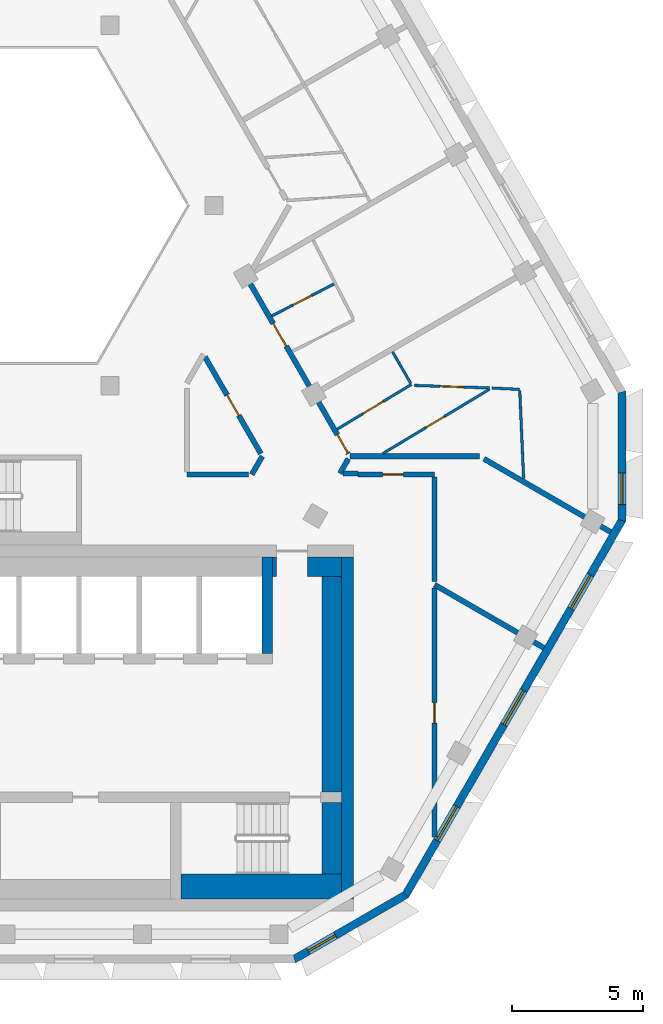
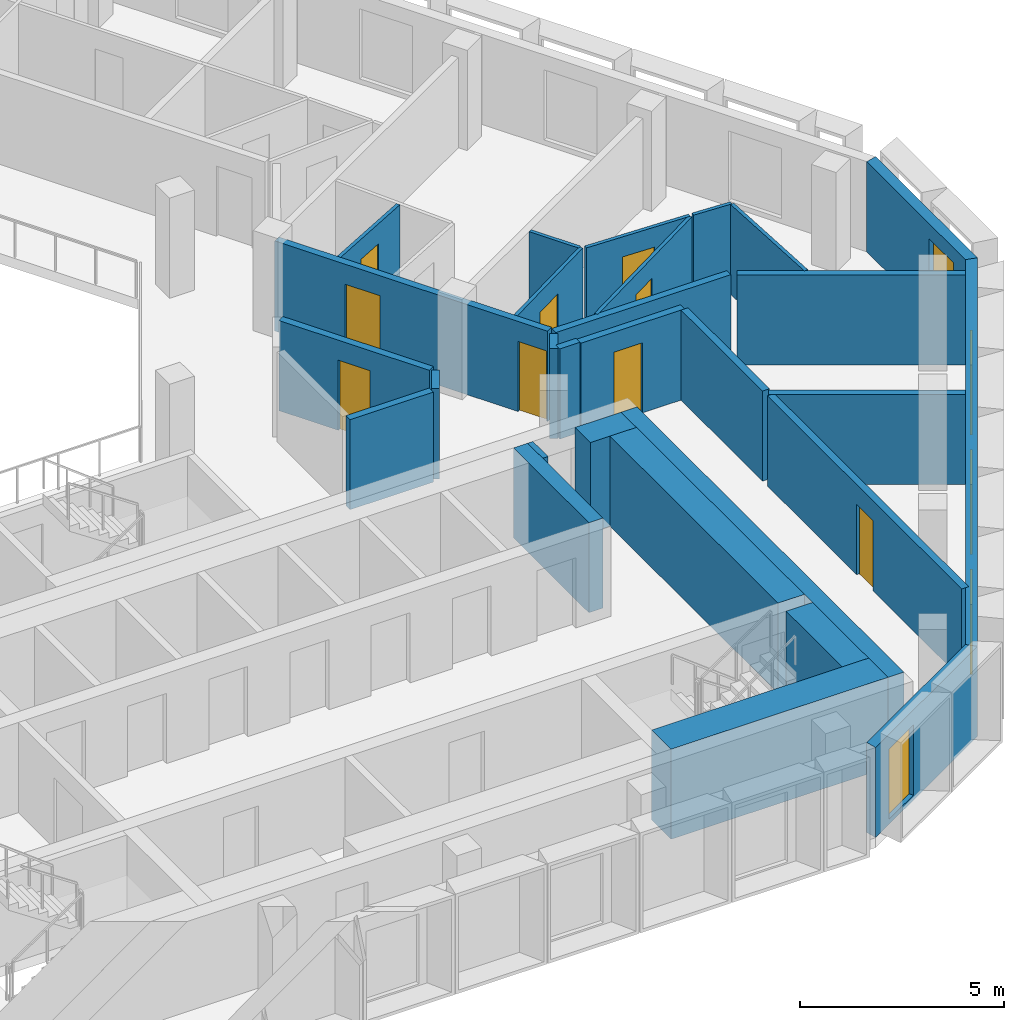
# One storey, part 5 of 14: 29 walls, 9 doors, 5 windows, 14 openings.
"""IFC4 building model written with IfcOpenShell, lengths in metres."""

from ifc_helpers import new_model, si_unit, direction, frame, frame_2d, origin, place, context, subcontext, project, spatial, polyline, rectangle, outline, extrude, material, layer, layer_set, type_object, element, fill, save


model = new_model("IFC4")

# Units and contexts
model_context = context("Model", 3, precision=1e-05, world=origin(), true_north=direction((0.0, 1.0)))
body_context = subcontext(model_context, "Body", "Model", "MODEL_VIEW")
ifc_project = project(units=[si_unit("LENGTHUNIT", "METRE"), si_unit("AREAUNIT", "SQUARE_METRE"), si_unit("VOLUMEUNIT", "CUBIC_METRE"), si_unit("PLANEANGLEUNIT", "RADIAN"), si_unit("MASSUNIT", "GRAM", prefix="KILO")], contexts=[model_context])

# Site, building, storey
site_placement = place(None, origin())
site = spatial("IfcSite", under=ifc_project, at=site_placement, CompositionType="ELEMENT")
building_placement = place(site_placement, origin())
building = spatial("IfcBuilding", under=site, at=building_placement, Name="Beryl Residences", CompositionType="ELEMENT")
storey_placement = place(building_placement, frame((0.0, 0.0, 235.800048828125)))
storey = spatial("IfcBuildingStorey", under=building, at=storey_placement, Name="L73", CompositionType="ELEMENT", Elevation=235.800048828125)

# Wall, opening, window
ifc_material_1 = material(Name="Composite metal panel with mineral wool insulation")
ifc_layer_1 = layer(ifc_material_1, 0.300048828125)
ifc_layer_set_1 = layer_set([ifc_layer_1], Name="ES1 pale metal composite panel wall 300 mm")
wall_type_1 = type_object("IfcWallType", Name="ES1 pale metal composite panel wall 300 mm", PredefinedType="SOLIDWALL", material=ifc_layer_set_1)
wall_1_placement = place(storey_placement, frame((11.010009765625, -20.8701171875, 0.0), z_axis=(0.0, 0.0, 1.0), x_axis=(0.866022959057, 0.500004234368, 0.0)))
wall_1 = element("IfcWall", 1, at=wall_1_placement, inside=storey, type_object=wall_type_1, Name="ES1 external wall L73 S-SE", PredefinedType="SOLIDWALL", context=body_context, shape_type="SweptSolid", body=[
    extrude(outline(polyline([(0.0, -0.14990234375), (5.0, -0.14990234375), (4.919677734375, 0.14990234375), (0.080322265625, 0.14990234375), (0.0, -0.14990234375)])), origin(), (0.0, 0.0, 1.0), 2.699951171875),
])
opening_1_placement = place(wall_1_placement, frame((0.64990234375, 0.0, 0.14990234375)))
opening_1 = element("IfcOpeningElement", 2, at=opening_1_placement, cuts=wall_1, Name="Opening W2", PredefinedType="OPENING", context=body_context, shape_type="SweptSolid", body=[
    extrude(rectangle(XDim=1.199951171875, YDim=2.10009765625, at=frame_2d((0.60009765625, 1.050048828125))), frame((0.0, 0.159912109375, 0.0), z_axis=(0.0, -1.0, 0.0), x_axis=(1.0, 0.0, 0.0)), (0.0, 0.0, 1.0), 0.320068359375),
])
ifc_material_2 = material(Name="Aluminium and clear glass", Category="aluminium")
window_type_1 = type_object("IfcWindowType", Name="W2 chamfer window 1200 x 2100 mm", PartitioningType="SINGLE_PANEL", PredefinedType="WINDOW", material=ifc_material_2)
window_1_placement = place(opening_1_placement, origin())
window_1 = element("IfcWindow", 3, at=window_1_placement, inside=storey, type_object=window_type_1, Name="W2 window L73 S-SE 1", OverallHeight=2.10009765625, OverallWidth=1.199951171875, PartitioningType="SINGLE_PANEL", PredefinedType="WINDOW", context=body_context, shape_type="SweptSolid", body=[
    extrude(rectangle(XDim=1.199951171875, YDim=2.10009765625, at=frame_2d((0.60009765625, 1.050048828125))), frame((0.0, 0.030029296875, 0.0), z_axis=(0.0, -1.0, 0.0), x_axis=(1.0, 0.0, 0.0)), (0.0, 0.0, 1.0), 0.06005859375),
])
fill(opening_1, window_1)

# Wall, openings, windows
wall_2_placement = place(storey_placement, frame((15.284912109375, -18.425048828125, 0.0), z_axis=(0.0, 0.0, 1.0), x_axis=(0.500012653391, 0.866018098222, 0.0)))
wall_2 = element("IfcWall", 4, at=wall_2_placement, inside=storey, type_object=wall_type_1, Name="ES1 external wall L73 SE", PredefinedType="SOLIDWALL", context=body_context, shape_type="SweptSolid", body=[
    extrude(outline(polyline([(0.0, -0.14990234375), (16.6279296875, -0.14990234375), (16.547607421875, 0.14990234375), (0.080322265625, 0.14990234375), (0.0, -0.14990234375)])), origin(), (0.0, 0.0, 1.0), 2.699951171875),
])
opening_2_placement = place(wall_2_placement, frame((2.444091796875, 0.0, 0.14990234375)))
opening_2 = element("IfcOpeningElement", 5, at=opening_2_placement, cuts=wall_2, Name="Opening W1", PredefinedType="OPENING", context=body_context, shape_type="SweptSolid", body=[
    extrude(rectangle(XDim=1.5, YDim=2.10009765625, at=frame_2d((0.75, 1.050048828125))), frame((0.0, 0.159912109375, 0.0), z_axis=(0.0, -1.0, 0.0), x_axis=(1.0, 0.0, 0.0)), (0.0, 0.0, 1.0), 0.320068359375),
])
opening_3_placement = place(wall_2_placement, frame((7.56396484375, 0.0, 0.14990234375)))
opening_3 = element("IfcOpeningElement", 6, at=opening_3_placement, cuts=wall_2, Name="Opening W1", PredefinedType="OPENING", context=body_context, shape_type="SweptSolid", body=[
    extrude(rectangle(XDim=1.5, YDim=2.10009765625, at=frame_2d((0.75, 1.050048828125))), frame((0.0, 0.159912109375, 0.0), z_axis=(0.0, -1.0, 0.0), x_axis=(1.0, 0.0, 0.0)), (0.0, 0.0, 1.0), 0.320068359375),
])
opening_4_placement = place(wall_2_placement, frame((12.681884765625, 0.0, 0.14990234375)))
opening_4 = element("IfcOpeningElement", 7, at=opening_4_placement, cuts=wall_2, Name="Opening W1", PredefinedType="OPENING", context=body_context, shape_type="SweptSolid", body=[
    extrude(rectangle(XDim=1.5, YDim=2.10009765625, at=frame_2d((0.75, 1.050048828125))), frame((0.0, 0.159912109375, 0.0), z_axis=(0.0, -1.0, 0.0), x_axis=(1.0, 0.0, 0.0)), (0.0, 0.0, 1.0), 0.320068359375),
])
ifc_material_3 = material(Name="Aluminium and clear glass", Category="aluminium")
window_type_2 = type_object("IfcWindowType", Name="W1 cell window 1500 x 2100 mm", PartitioningType="SINGLE_PANEL", PredefinedType="WINDOW", material=ifc_material_3)
window_2_placement = place(opening_2_placement, origin())
window_2 = element("IfcWindow", 8, at=window_2_placement, inside=storey, type_object=window_type_2, Name="W1 window L73 SE 2", OverallHeight=2.10009765625, OverallWidth=1.5, PartitioningType="SINGLE_PANEL", PredefinedType="WINDOW", context=body_context, shape_type="SweptSolid", body=[
    extrude(rectangle(XDim=1.5, YDim=2.10009765625, at=frame_2d((0.75, 1.050048828125))), frame((0.0, 0.030029296875, 0.0), z_axis=(0.0, -1.0, 0.0), x_axis=(1.0, 0.0, 0.0)), (0.0, 0.0, 1.0), 0.06005859375),
])
fill(opening_2, window_2)
window_3_placement = place(opening_3_placement, origin())
window_3 = element("IfcWindow", 9, at=window_3_placement, inside=storey, type_object=window_type_2, Name="W1 window L73 SE 4", OverallHeight=2.10009765625, OverallWidth=1.5, PartitioningType="SINGLE_PANEL", PredefinedType="WINDOW", context=body_context, shape_type="SweptSolid", body=[
    extrude(rectangle(XDim=1.5, YDim=2.10009765625, at=frame_2d((0.75, 1.050048828125))), frame((0.0, 0.030029296875, 0.0), z_axis=(0.0, -1.0, 0.0), x_axis=(1.0, 0.0, 0.0)), (0.0, 0.0, 1.0), 0.06005859375),
])
fill(opening_3, window_3)
window_4_placement = place(opening_4_placement, origin())
window_4 = element("IfcWindow", 10, at=window_4_placement, inside=storey, type_object=window_type_2, Name="W1 window L73 SE 6", OverallHeight=2.10009765625, OverallWidth=1.5, PartitioningType="SINGLE_PANEL", PredefinedType="WINDOW", context=body_context, shape_type="SweptSolid", body=[
    extrude(rectangle(XDim=1.5, YDim=2.10009765625, at=frame_2d((0.75, 1.050048828125))), frame((0.0, 0.030029296875, 0.0), z_axis=(0.0, -1.0, 0.0), x_axis=(1.0, 0.0, 0.0)), (0.0, 0.0, 1.0), 0.06005859375),
])
fill(opening_4, window_4)

# Wall, opening, window
wall_3_placement = place(storey_placement, frame((23.5791015625, -4.10009765625, 0.0), z_axis=(0.0, 0.0, 1.0), x_axis=(0.0, 1.0, 0.0)))
wall_3 = element("IfcWall", 11, at=wall_3_placement, inside=storey, type_object=wall_type_1, Name="ES1 external wall L73 SE-NE", PredefinedType="SOLIDWALL", context=body_context, shape_type="SweptSolid", body=[
    extrude(outline(polyline([(0.0, -0.14990234375), (5.0, -0.14990234375), (4.919677734375, 0.14990234375), (0.080322265625, 0.14990234375), (0.0, -0.14990234375)])), origin(), (0.0, 0.0, 1.0), 2.699951171875),
])
opening_5_placement = place(wall_3_placement, frame((0.64990234375, 0.0, 0.14990234375)))
opening_5 = element("IfcOpeningElement", 12, at=opening_5_placement, cuts=wall_3, Name="Opening W2", PredefinedType="OPENING", context=body_context, shape_type="SweptSolid", body=[
    extrude(rectangle(XDim=1.199951171875, YDim=2.10009765625, at=frame_2d((0.60009765625, 1.050048828125))), frame((0.0, 0.159912109375, 0.0), z_axis=(0.0, -1.0, 0.0), x_axis=(1.0, 0.0, 0.0)), (0.0, 0.0, 1.0), 0.320068359375),
])
window_5_placement = place(opening_5_placement, origin())
window_5 = element("IfcWindow", 13, at=window_5_placement, inside=storey, type_object=window_type_1, Name="W2 window L73 SE-NE 1", OverallHeight=2.10009765625, OverallWidth=1.199951171875, PartitioningType="SINGLE_PANEL", PredefinedType="WINDOW", context=body_context, shape_type="SweptSolid", body=[
    extrude(rectangle(XDim=1.199951171875, YDim=2.10009765625, at=frame_2d((0.60009765625, 1.050048828125))), frame((0.0, 0.030029296875, 0.0), z_axis=(0.0, -1.0, 0.0), x_axis=(1.0, 0.0, 0.0)), (0.0, 0.0, 1.0), 0.06005859375),
])
fill(opening_5, window_5)

# Walls
ifc_material_4 = material(Name="Gypsum board partition on steel studs", Category="steel")
ifc_layer_2 = layer(ifc_material_4, 0.10009765625)
ifc_layer_set_2 = layer_set([ifc_layer_2], Name="PT1 partition 100 mm gypsum board on steel studs")
wall_type_2 = type_object("IfcWallType", Name="PT1 partition 100 mm gypsum board on steel studs", PredefinedType="PARTITIONING", material=ifc_layer_set_2)
wall_4_placement = place(storey_placement, frame((14.800048828125, 2.39697265625, 0.0), z_axis=(0.0, 0.0, 1.0), x_axis=(0.49989805765, -0.866084252228, 0.0)))
element("IfcWall", 14, at=wall_4_placement, inside=storey, type_object=wall_type_2, Name="Wall PT1 L73 002", PredefinedType="PARTITIONING", context=body_context, shape_type="SweptSolid", body=[
    extrude(rectangle(XDim=1.404052734375, YDim=0.10009765625, at=frame_2d((0.7021484375, 0.0))), origin(), (0.0, 0.0, 1.0), 2.699951171875),
])
wall_5_placement = place(storey_placement, frame((19.669921875, 0.908935546875, 0.0), z_axis=(0.0, 0.0, 1.0), x_axis=(0.043933486644, -0.99903445824, 0.0)))
element("IfcWall", 15, at=wall_5_placement, inside=storey, type_object=wall_type_2, Name="Wall PT1 L73 009", PredefinedType="PARTITIONING", context=body_context, shape_type="SweptSolid", body=[
    extrude(rectangle(XDim=3.373046875, YDim=0.10009765625, at=frame_2d((1.6865234375, 0.0))), origin(), (0.0, 0.0, 1.0), 2.699951171875),
])

# Wall, opening, door
wall_6_placement = place(storey_placement, frame((15.631103515625, 1.112060546875, 0.0), z_axis=(0.0, 0.0, 1.0), x_axis=(0.999423034213, -0.033964668168, 0.0)))
wall_6 = element("IfcWall", 16, at=wall_6_placement, inside=storey, type_object=wall_type_2, Name="Wall PT1 L73 014", PredefinedType="PARTITIONING", context=body_context, shape_type="SweptSolid", body=[
    extrude(rectangle(XDim=2.8896484375, YDim=0.10009765625, at=frame_2d((1.44482421875, 0.0))), origin(), (0.0, 0.0, 1.0), 2.699951171875),
])
opening_6_placement = place(wall_6_placement, frame((0.9951171875, 0.0, 0.0)))
opening_6 = element("IfcOpeningElement", 17, at=opening_6_placement, cuts=wall_6, Name="Opening D2226", PredefinedType="OPENING", context=body_context, shape_type="SweptSolid", body=[
    extrude(rectangle(XDim=0.89990234375, YDim=2.10009765625, at=frame_2d((0.449951171875, 1.050048828125))), frame((0.0, 0.06005859375, 0.0), z_axis=(0.0, -1.0, 0.0), x_axis=(1.0, 0.0, 0.0)), (0.0, 0.0, 1.0), 0.1201171875),
])
ifc_material_5 = material(Name="Timber door leaf", Category="wood")
door_type_1 = type_object("IfcDoorType", Name="D2 room door 900 x 2100 mm", OperationType="SINGLE_SWING_LEFT", PredefinedType="DOOR", material=ifc_material_5)
door_1_placement = place(opening_6_placement, origin())
door_1 = element("IfcDoor", 18, at=door_1_placement, inside=storey, type_object=door_type_1, Name="Door D2226 L73 001", OperationType="SINGLE_SWING_RIGHT", OverallHeight=2.10009765625, OverallWidth=0.89990234375, PredefinedType="DOOR", context=body_context, shape_type="SweptSolid", body=[
    extrude(rectangle(XDim=0.89990234375, YDim=2.10009765625, at=frame_2d((0.449951171875, 1.050048828125))), frame((0.0, 0.02490234375, 0.0), z_axis=(0.0, -1.0, 0.0), x_axis=(1.0, 0.0, 0.0)), (0.0, 0.0, 1.0), 0.050048828125),
])
fill(opening_6, door_1)

wall_7_placement = place(storey_placement, frame((10.177978515625, 3.77197265625, 0.0), z_axis=(0.0, 0.0, 1.0), x_axis=(0.889732071959, 0.456483121405, 0.0)))
wall_7 = element("IfcWall", 19, at=wall_7_placement, inside=storey, type_object=wall_type_2, Name="Wall PT1 L73 032", PredefinedType="PARTITIONING", context=body_context, shape_type="SweptSolid", body=[
    extrude(rectangle(XDim=2.679443359375, YDim=0.10009765625, at=frame_2d((1.33984375, 0.0))), origin(), (0.0, 0.0, 1.0), 2.699951171875),
])
opening_7_placement = place(wall_7_placement, frame((0.9150390625, 0.0, 0.0)))
opening_7 = element("IfcOpeningElement", 20, at=opening_7_placement, cuts=wall_7, Name="Opening D2229", PredefinedType="OPENING", context=body_context, shape_type="SweptSolid", body=[
    extrude(rectangle(XDim=0.800048828125, YDim=2.10009765625, at=frame_2d((0.39990234375, 1.050048828125))), frame((0.0, 0.06005859375, 0.0), z_axis=(0.0, -1.0, 0.0), x_axis=(1.0, 0.0, 0.0)), (0.0, 0.0, 1.0), 0.1201171875),
])
ifc_material_6 = material(Name="Timber door leaf", Category="wood")
door_type_2 = type_object("IfcDoorType", Name="D3 bathroom door 800 x 2100 mm", OperationType="SINGLE_SWING_LEFT", PredefinedType="DOOR", material=ifc_material_6)
door_2_placement = place(opening_7_placement, origin())
door_2 = element("IfcDoor", 21, at=door_2_placement, inside=storey, type_object=door_type_2, Name="Door D2229 L73 001", OperationType="SINGLE_SWING_LEFT", OverallHeight=2.10009765625, OverallWidth=0.800048828125, PredefinedType="DOOR", context=body_context, shape_type="SweptSolid", body=[
    extrude(rectangle(XDim=0.800048828125, YDim=2.10009765625, at=frame_2d((0.39990234375, 1.050048828125))), frame((0.0, 0.02490234375, 0.0), z_axis=(0.0, -1.0, 0.0), x_axis=(1.0, 0.0, 0.0)), (0.0, 0.0, 1.0), 0.050048828125),
])
fill(opening_7, door_2)

wall_8_placement = place(storey_placement, frame((12.680908203125, -0.56396484375, 0.0), z_axis=(0.0, 0.0, 1.0), x_axis=(0.856575482301, 0.516021746752, 0.0)))
wall_8 = element("IfcWall", 22, at=wall_8_placement, inside=storey, type_object=wall_type_2, Name="Wall PT1 L73 035", PredefinedType="PARTITIONING", context=body_context, shape_type="SweptSolid", body=[
    extrude(rectangle(XDim=3.315673828125, YDim=0.10009765625, at=frame_2d((1.65771484375, 0.0))), origin(), (0.0, 0.0, 1.0), 2.699951171875),
])
opening_8_placement = place(wall_8_placement, frame((1.157958984375, 0.0, 0.0)))
opening_8 = element("IfcOpeningElement", 23, at=opening_8_placement, cuts=wall_8, Name="Opening D2225", PredefinedType="OPENING", context=body_context, shape_type="SweptSolid", body=[
    extrude(rectangle(XDim=0.89990234375, YDim=2.10009765625, at=frame_2d((0.449951171875, 1.050048828125))), frame((0.0, 0.06005859375, 0.0), z_axis=(0.0, -1.0, 0.0), x_axis=(1.0, 0.0, 0.0)), (0.0, 0.0, 1.0), 0.1201171875),
])
door_3_placement = place(opening_8_placement, origin())
door_3 = element("IfcDoor", 24, at=door_3_placement, inside=storey, type_object=door_type_1, Name="Door D2225 L73 001", OperationType="SINGLE_SWING_LEFT", OverallHeight=2.10009765625, OverallWidth=0.89990234375, PredefinedType="DOOR", context=body_context, shape_type="SweptSolid", body=[
    extrude(rectangle(XDim=0.89990234375, YDim=2.10009765625, at=frame_2d((0.449951171875, 1.050048828125))), frame((0.0, 0.02490234375, 0.0), z_axis=(0.0, -1.0, 0.0), x_axis=(1.0, 0.0, 0.0)), (0.0, 0.0, 1.0), 0.050048828125),
])
fill(opening_8, door_3)

wall_9_placement = place(storey_placement, frame((14.423095703125, -1.4990234375, 0.0), z_axis=(0.0, 0.0, 1.0), x_axis=(0.856512638305, 0.516126050905, 0.0)))
wall_9 = element("IfcWall", 25, at=wall_9_placement, inside=storey, type_object=wall_type_2, Name="Wall PT1 L73 036", PredefinedType="PARTITIONING", context=body_context, shape_type="SweptSolid", body=[
    extrude(rectangle(XDim=4.776123046875, YDim=0.10009765625, at=frame_2d((2.38818359375, 0.0))), origin(), (0.0, 0.0, 1.0), 2.699951171875),
])
opening_9_placement = place(wall_9_placement, frame((1.93603515625, 0.0, 0.0)))
opening_9 = element("IfcOpeningElement", 26, at=opening_9_placement, cuts=wall_9, Name="Opening D2224", PredefinedType="OPENING", context=body_context, shape_type="SweptSolid", body=[
    extrude(rectangle(XDim=0.800048828125, YDim=2.10009765625, at=frame_2d((0.39990234375, 1.050048828125))), frame((0.0, 0.06005859375, 0.0), z_axis=(0.0, -1.0, 0.0), x_axis=(1.0, 0.0, 0.0)), (0.0, 0.0, 1.0), 0.1201171875),
])
door_4_placement = place(opening_9_placement, origin())
door_4 = element("IfcDoor", 27, at=door_4_placement, inside=storey, type_object=door_type_2, Name="Door D2224 L73 001", OperationType="SINGLE_SWING_RIGHT", OverallHeight=2.10009765625, OverallWidth=0.800048828125, PredefinedType="DOOR", context=body_context, shape_type="SweptSolid", body=[
    extrude(rectangle(XDim=0.800048828125, YDim=2.10009765625, at=frame_2d((0.39990234375, 1.050048828125))), frame((0.0, 0.02490234375, 0.0), z_axis=(0.0, -1.0, 0.0), x_axis=(1.0, 0.0, 0.0)), (0.0, 0.0, 1.0), 0.050048828125),
])
fill(opening_9, door_4)

# Walls
wall_10_placement = place(storey_placement, frame((18.611083984375, 1.010986328125, 0.0), z_axis=(0.0, 0.0, 1.0), x_axis=(0.998789491469, -0.049188939117, 0.0)))
element("IfcWall", 28, at=wall_10_placement, inside=storey, type_object=wall_type_2, Name="Wall PT1 L73 040", PredefinedType="PARTITIONING", context=body_context, shape_type="SweptSolid", body=[
    extrude(rectangle(XDim=1.05712890625, YDim=0.10009765625, at=frame_2d((0.528564453125, 0.0))), origin(), (0.0, 0.0, 1.0), 2.699951171875),
])
ifc_material_7 = material(Name="Concrete masonry", Category="masonry")
ifc_layer_3 = layer(ifc_material_7, 0.14990234375)
ifc_layer_set_3 = layer_set([ifc_layer_3], Name="PT13-150 lobby wall 150 mm")
wall_type_3 = type_object("IfcWallType", Name="PT13-150 lobby wall 150 mm", PredefinedType="PARTITIONING", material=ifc_layer_set_3)
wall_11_placement = place(storey_placement, frame((10.27490234375, -6.199951171875, 0.0), z_axis=(0.0, 0.0, 1.0), x_axis=(0.0, 1.0, 0.0)))
element("IfcWall", 29, at=wall_11_placement, inside=storey, type_object=wall_type_3, Name="Lobby wall 24", PredefinedType="PARTITIONING", context=body_context, shape_type="SweptSolid", body=[
    extrude(rectangle(XDim=0.75, YDim=0.14990234375, at=frame_2d((0.375, 0.0))), origin(), (0.0, 0.0, 1.0), 2.699951171875),
])
ifc_material_8 = material(Name="Concrete masonry", Category="masonry")
ifc_layer_4 = layer(ifc_material_8, 0.75)
ifc_layer_set_4 = layer_set([ifc_layer_4], Name="PT13-750 lobby wall 750 mm")
wall_type_4 = type_object("IfcWallType", Name="PT13-750 lobby wall 750 mm", PredefinedType="PARTITIONING", material=ifc_layer_set_4)
wall_12_placement = place(storey_placement, frame((11.550048828125, -5.824951171875, 0.0), z_axis=(0.0, 0.0, 1.0), x_axis=(1.0, 0.0, 0.0)))
element("IfcWall", 30, at=wall_12_placement, inside=storey, type_object=wall_type_4, Name="Lobby wall 25", PredefinedType="PARTITIONING", context=body_context, shape_type="SweptSolid", body=[
    extrude(rectangle(XDim=1.300048828125, YDim=0.75, at=frame_2d((0.64990234375, 0.0))), origin(), (0.0, 0.0, 1.0), 2.699951171875),
])
wall_13_placement = place(storey_placement, frame((12.47509765625, -14.449951171875, 0.0), z_axis=(0.0, 0.0, 1.0), x_axis=(0.0, 1.0, 0.0)))
element("IfcWall", 31, at=wall_13_placement, inside=storey, type_object=wall_type_4, Name="Lobby wall 27", PredefinedType="PARTITIONING", context=body_context, shape_type="SweptSolid", body=[
    extrude(rectangle(XDim=8.25, YDim=0.75, at=frame_2d((4.125, 0.0))), origin(), (0.0, 0.0, 1.0), 2.699951171875),
])
ifc_material_9 = material(Name="Acoustic double stud gypsum board wall")
ifc_layer_5 = layer(ifc_material_9, 0.199951171875)
ifc_layer_set_5 = layer_set([ifc_layer_5], Name="PT3 party wall 200 mm acoustic double stud")
wall_type_5 = type_object("IfcWallType", Name="PT3 party wall 200 mm acoustic double stud", PredefinedType="PARTITIONING", material=ifc_layer_set_5)
wall_14_placement = place(storey_placement, frame((18.299072265625, -1.698974609375, 0.0), z_axis=(0.0, 0.0, 1.0), x_axis=(0.865962789554, -0.50010843535, 0.0)))
element("IfcWall", 32, at=wall_14_placement, inside=storey, type_object=wall_type_5, Name="Wall PT3 L73 002", PredefinedType="PARTITIONING", context=body_context, shape_type="SweptSolid", body=[
    extrude(rectangle(XDim=5.602783203125, YDim=0.199951171875, at=frame_2d((2.80126953125, 0.0))), origin(), (0.0, 0.0, 1.0), 2.699951171875),
])
wall_15_placement = place(storey_placement, frame((16.407958984375, -6.51904296875, 0.0), z_axis=(0.0, 0.0, 1.0), x_axis=(0.866032396701, -0.499987887718, 0.0)))
element("IfcWall", 33, at=wall_15_placement, inside=storey, type_object=wall_type_5, Name="Wall PT3 L73 003", PredefinedType="PARTITIONING", context=body_context, shape_type="SweptSolid", body=[
    extrude(rectangle(XDim=4.830078125, YDim=0.199951171875, at=frame_2d((2.4150390625, 0.0))), origin(), (0.0, 0.0, 1.0), 2.699951171875),
])
wall_16_placement = place(storey_placement, frame((13.1630859375, -1.59912109375, 0.0), z_axis=(0.0, 0.0, 1.0), x_axis=(1.0, 0.0, 0.0)))
element("IfcWall", 34, at=wall_16_placement, inside=storey, type_object=wall_type_5, Name="Wall PT3 L73 006", PredefinedType="PARTITIONING", context=body_context, shape_type="SweptSolid", body=[
    extrude(rectangle(XDim=4.9619140625, YDim=0.199951171875, at=frame_2d((2.48095703125, 0.0))), origin(), (0.0, 0.0, 1.0), 2.699951171875),
])

# Wall, opening, door
ifc_material_10 = material(Name="Double stud gypsum board wall")
ifc_layer_6 = layer(ifc_material_10, 0.199951171875)
ifc_layer_set_6 = layer_set([ifc_layer_6], Name="PT4 corridor wall 200 mm double stud")
wall_type_6 = type_object("IfcWallType", Name="PT4 corridor wall 200 mm double stud", PredefinedType="PARTITIONING", material=ifc_layer_set_6)
wall_17_placement = place(storey_placement, frame((7.6220703125, 2.198974609375, 0.0), z_axis=(0.0, 0.0, 1.0), x_axis=(0.499994660107, -0.866028486751, 0.0)))
wall_17 = element("IfcWall", 35, at=wall_17_placement, inside=storey, type_object=wall_type_6, Name="Wall PT4 L73 004", PredefinedType="PARTITIONING", context=body_context, shape_type="SweptSolid", body=[
    extrude(rectangle(XDim=4.27001953125, YDim=0.199951171875, at=frame_2d((2.135009765625, 0.0))), origin(), (0.0, 0.0, 1.0), 2.699951171875),
])
opening_10_placement = place(wall_17_placement, frame((1.68505859375, 0.0, 0.0)))
opening_10 = element("IfcOpeningElement", 36, at=opening_10_placement, cuts=wall_17, Name="Opening D2235", PredefinedType="OPENING", context=body_context, shape_type="SweptSolid", body=[
    extrude(rectangle(XDim=0.89990234375, YDim=2.10009765625, at=frame_2d((0.449951171875, 1.050048828125))), frame((0.0, 0.10986328125, 0.0), z_axis=(0.0, -1.0, 0.0), x_axis=(1.0, 0.0, 0.0)), (0.0, 0.0, 1.0), 0.219970703125),
])
door_5_placement = place(opening_10_placement, origin())
door_5 = element("IfcDoor", 37, at=door_5_placement, inside=storey, type_object=door_type_1, Name="Door D2235 L73 001", OperationType="SINGLE_SWING_LEFT", OverallHeight=2.10009765625, OverallWidth=0.89990234375, PredefinedType="DOOR", context=body_context, shape_type="SweptSolid", body=[
    extrude(rectangle(XDim=0.89990234375, YDim=2.10009765625, at=frame_2d((0.449951171875, 1.050048828125))), frame((0.0, 0.02490234375, 0.0), z_axis=(0.0, -1.0, 0.0), x_axis=(1.0, 0.0, 0.0)), (0.0, 0.0, 1.0), 0.050048828125),
])
fill(opening_10, door_5)

# Wall, openings, doors
wall_18_placement = place(storey_placement, frame((9.238037109375, 5.199951171875, 0.0), z_axis=(0.0, 0.0, 1.0), x_axis=(0.500025705601, -0.86601056214, 0.0)))
wall_18 = element("IfcWall", 38, at=wall_18_placement, inside=storey, type_object=wall_type_6, Name="Wall PT4 L73 005", PredefinedType="PARTITIONING", context=body_context, shape_type="SweptSolid", body=[
    extrude(rectangle(XDim=7.7353515625, YDim=0.199951171875, at=frame_2d((3.86767578125, 0.0))), origin(), (0.0, 0.0, 1.0), 2.699951171875),
])
opening_11_placement = place(wall_18_placement, frame((6.89794921875, 0.0, 0.0)))
opening_11 = element("IfcOpeningElement", 39, at=opening_11_placement, cuts=wall_18, Name="Opening D2223", PredefinedType="OPENING", context=body_context, shape_type="SweptSolid", body=[
    extrude(rectangle(XDim=0.800048828125, YDim=2.10009765625, at=frame_2d((0.39990234375, 1.050048828125))), frame((0.0, 0.10986328125, 0.0), z_axis=(0.0, -1.0, 0.0), x_axis=(1.0, 0.0, 0.0)), (0.0, 0.0, 1.0), 0.219970703125),
])
opening_12_placement = place(wall_18_placement, frame((1.988037109375, 0.0, 0.0)))
opening_12 = element("IfcOpeningElement", 40, at=opening_12_placement, cuts=wall_18, Name="Opening D2227", PredefinedType="OPENING", context=body_context, shape_type="SweptSolid", body=[
    extrude(rectangle(XDim=1.0, YDim=2.10009765625, at=frame_2d((0.5, 1.050048828125))), frame((0.0, 0.10986328125, 0.0), z_axis=(0.0, -1.0, 0.0), x_axis=(1.0, 0.0, 0.0)), (0.0, 0.0, 1.0), 0.219970703125),
])
ifc_material_11 = material(Name="Timber door leaf", Category="wood")
door_type_3 = type_object("IfcDoorType", Name="D1 flat entrance door 1000 x 2100 mm", OperationType="SINGLE_SWING_LEFT", PredefinedType="DOOR", material=ifc_material_11)
door_6_placement = place(opening_12_placement, origin())
door_6 = element("IfcDoor", 41, at=door_6_placement, inside=storey, type_object=door_type_3, Name="Door D2227 L73 001", OperationType="SINGLE_SWING_LEFT", OverallHeight=2.10009765625, OverallWidth=1.0, PredefinedType="DOOR", context=body_context, shape_type="SweptSolid", body=[
    extrude(rectangle(XDim=1.0, YDim=2.10009765625, at=frame_2d((0.5, 1.050048828125))), frame((0.0, 0.02490234375, 0.0), z_axis=(0.0, -1.0, 0.0), x_axis=(1.0, 0.0, 0.0)), (0.0, 0.0, 1.0), 0.050048828125),
])
fill(opening_12, door_6)
ifc_material_12 = material(Name="Timber door leaf", Category="wood")
door_type_4 = type_object("IfcDoorType", Name="D12 flat entrance door 800 x 2100 mm", OperationType="SINGLE_SWING_LEFT", PredefinedType="DOOR", material=ifc_material_12)
door_7_placement = place(opening_11_placement, origin())
door_7 = element("IfcDoor", 42, at=door_7_placement, inside=storey, type_object=door_type_4, Name="Door D2223 L73 001", OperationType="SINGLE_SWING_LEFT", OverallHeight=2.10009765625, OverallWidth=0.800048828125, PredefinedType="DOOR", context=body_context, shape_type="SweptSolid", body=[
    extrude(rectangle(XDim=0.800048828125, YDim=2.10009765625, at=frame_2d((0.39990234375, 1.050048828125))), frame((0.0, 0.02490234375, 0.0), z_axis=(0.0, -1.0, 0.0), x_axis=(1.0, 0.0, 0.0)), (0.0, 0.0, 1.0), 0.050048828125),
])
fill(opening_11, door_7)

# Walls
wall_19_placement = place(storey_placement, frame((16.407958984375, -2.39990234375, 0.0), z_axis=(0.0, 0.0, 1.0), x_axis=(0.0, -1.0, 0.0)))
element("IfcWall", 43, at=wall_19_placement, inside=storey, type_object=wall_type_6, Name="Wall PT4 L73 009", PredefinedType="PARTITIONING", context=body_context, shape_type="SweptSolid", body=[
    extrude(rectangle(XDim=4.004150390625, YDim=0.199951171875, at=frame_2d((2.001953125, 0.0))), origin(), (0.0, 0.0, 1.0), 2.699951171875),
])
wall_20_placement = place(storey_placement, frame((12.902099609375, -2.256103515625, 0.0), z_axis=(0.0, 0.0, 1.0), x_axis=(1.0, 0.0, 0.0)))
element("IfcWall", 44, at=wall_20_placement, inside=storey, type_object=wall_type_6, Name="Wall PT4 L73 012", PredefinedType="PARTITIONING", context=body_context, shape_type="SweptSolid", body=[
    extrude(rectangle(XDim=0.57080078125, YDim=0.199951171875, at=frame_2d((0.285400390625, 0.0))), origin(), (0.0, 0.0, 1.0), 2.699951171875),
])
wall_21_placement = place(storey_placement, frame((6.928955078125, -2.300048828125, 0.0), z_axis=(0.0, 0.0, 1.0), x_axis=(1.0, 0.0, 0.0)))
element("IfcWall", 45, at=wall_21_placement, inside=storey, type_object=wall_type_6, Name="Wall PT4 L73 015", PredefinedType="PARTITIONING", context=body_context, shape_type="SweptSolid", body=[
    extrude(rectangle(XDim=2.364990234375, YDim=0.199951171875, at=frame_2d((1.1826171875, 0.0))), origin(), (0.0, 0.0, 1.0), 2.699951171875),
])

# Wall, opening, door
wall_22_placement = place(storey_placement, frame((13.47412109375, -2.300048828125, 0.0), z_axis=(0.0, 0.0, 1.0), x_axis=(1.0, 0.0, 0.0)))
wall_22 = element("IfcWall", 46, at=wall_22_placement, inside=storey, type_object=wall_type_6, Name="Wall PT4 L73 016", PredefinedType="PARTITIONING", context=body_context, shape_type="SweptSolid", body=[
    extrude(rectangle(XDim=2.933837890625, YDim=0.199951171875, at=frame_2d((1.466796875, 0.0))), origin(), (0.0, 0.0, 1.0), 2.699951171875),
])
opening_13_placement = place(wall_22_placement, frame((0.94189453125, 0.0, 0.0)))
opening_13 = element("IfcOpeningElement", 47, at=opening_13_placement, cuts=wall_22, Name="Opening D2222", PredefinedType="OPENING", context=body_context, shape_type="SweptSolid", body=[
    extrude(rectangle(XDim=0.800048828125, YDim=2.10009765625, at=frame_2d((0.39990234375, 1.050048828125))), frame((0.0, 0.10986328125, 0.0), z_axis=(0.0, -1.0, 0.0), x_axis=(1.0, 0.0, 0.0)), (0.0, 0.0, 1.0), 0.219970703125),
])
door_8_placement = place(opening_13_placement, origin())
door_8 = element("IfcDoor", 48, at=door_8_placement, inside=storey, type_object=door_type_2, Name="Door D2222 L73 001", OperationType="SINGLE_SWING_RIGHT", OverallHeight=2.10009765625, OverallWidth=0.800048828125, PredefinedType="DOOR", context=body_context, shape_type="SweptSolid", body=[
    extrude(rectangle(XDim=0.800048828125, YDim=2.10009765625, at=frame_2d((0.39990234375, 1.050048828125))), frame((0.0, 0.02490234375, 0.0), z_axis=(0.0, -1.0, 0.0), x_axis=(1.0, 0.0, 0.0)), (0.0, 0.0, 1.0), 0.050048828125),
])
fill(opening_13, door_8)

# Walls
wall_23_placement = place(storey_placement, frame((9.410888671875, -2.300048828125, 0.0), z_axis=(0.0, 0.0, 1.0), x_axis=(0.499940363534, 0.866059832176, 0.0)))
element("IfcWall", 49, at=wall_23_placement, inside=storey, type_object=wall_type_6, Name="Wall PT4 L73 020", PredefinedType="PARTITIONING", context=body_context, shape_type="SweptSolid", body=[
    extrude(rectangle(XDim=0.80810546875, YDim=0.199951171875, at=frame_2d((0.404052734375, 0.0))), origin(), (0.0, 0.0, 1.0), 2.699951171875),
])
wall_24_placement = place(storey_placement, frame((12.784912109375, -2.25390625, 0.0), z_axis=(0.0, 0.0, 1.0), x_axis=(0.500766044352, 0.865582675903, 0.0)))
element("IfcWall", 50, at=wall_24_placement, inside=storey, type_object=wall_type_6, Name="Wall PT4 L73 021", PredefinedType="PARTITIONING", context=body_context, shape_type="SweptSolid", body=[
    extrude(rectangle(XDim=0.64111328125, YDim=0.199951171875, at=frame_2d((0.320556640625, 0.0))), origin(), (0.0, 0.0, 1.0), 2.699951171875),
])

# Wall, opening, door
wall_25_placement = place(storey_placement, frame((16.407958984375, -16.178955078125, 0.0), z_axis=(0.0, 0.0, 1.0), x_axis=(0.0, 1.0, 0.0)))
wall_25 = element("IfcWall", 51, at=wall_25_placement, inside=storey, type_object=wall_type_6, Name="Wall PT4 L73 025", PredefinedType="PARTITIONING", context=body_context, shape_type="SweptSolid", body=[
    extrude(rectangle(XDim=9.5439453125, YDim=0.199951171875, at=frame_2d((4.77197265625, 0.0))), origin(), (0.0, 0.0, 1.0), 2.699951171875),
])
opening_14_placement = place(wall_25_placement, frame((4.35791015625, 0.0, 0.0)))
opening_14 = element("IfcOpeningElement", 52, at=opening_14_placement, cuts=wall_25, Name="Opening D2221", PredefinedType="OPENING", context=body_context, shape_type="SweptSolid", body=[
    extrude(rectangle(XDim=0.800048828125, YDim=2.10009765625, at=frame_2d((0.39990234375, 1.050048828125))), frame((0.0, 0.10986328125, 0.0), z_axis=(0.0, -1.0, 0.0), x_axis=(1.0, 0.0, 0.0)), (0.0, 0.0, 1.0), 0.219970703125),
])
door_9_placement = place(opening_14_placement, origin())
door_9 = element("IfcDoor", 53, at=door_9_placement, inside=storey, type_object=door_type_2, Name="Door D2221 L73 001", OperationType="SINGLE_SWING_LEFT", OverallHeight=2.10009765625, OverallWidth=0.800048828125, PredefinedType="DOOR", context=body_context, shape_type="SweptSolid", body=[
    extrude(rectangle(XDim=0.800048828125, YDim=2.10009765625, at=frame_2d((0.39990234375, 1.050048828125))), frame((0.0, 0.02490234375, 0.0), z_axis=(0.0, -1.0, 0.0), x_axis=(1.0, 0.0, 0.0)), (0.0, 0.0, 1.0), 0.050048828125),
])
fill(opening_14, door_9)

# Walls
ifc_material_13 = material(Name="Concrete C40/50", Category="concrete")
ifc_layer_7 = layer(ifc_material_13, 0.75)
ifc_layer_set_7 = layer_set([ifc_layer_7], Name="PT5-750 stair enclosure wall 750 mm")
wall_type_7 = type_object("IfcWallType", Name="PT5-750 stair enclosure wall 750 mm", PredefinedType="SOLIDWALL", material=ifc_layer_set_7)
wall_26_placement = place(storey_placement, frame((12.47509765625, -17.60009765625, 0.0), z_axis=(0.0, 0.0, 1.0), x_axis=(0.0, 1.0, 0.0)))
element("IfcWall", 54, at=wall_26_placement, inside=storey, type_object=wall_type_7, Name="Stair wall 26", PredefinedType="SOLIDWALL", context=body_context, shape_type="SweptSolid", body=[
    extrude(rectangle(XDim=2.75, YDim=0.75, at=frame_2d((1.375, 0.0))), origin(), (0.0, 0.0, 1.0), 2.699951171875),
])
ifc_material_14 = material(Name="Concrete C40/50", Category="concrete")
ifc_layer_8 = layer(ifc_material_14, 0.949951171875)
ifc_layer_set_8 = layer_set([ifc_layer_8], Name="PT5-950 stair enclosure wall 950 mm")
wall_type_8 = type_object("IfcWallType", Name="PT5-950 stair enclosure wall 950 mm", PredefinedType="SOLIDWALL", material=ifc_layer_set_8)
wall_27_placement = place(storey_placement, frame((6.699951171875, -18.074951171875, 0.0), z_axis=(0.0, 0.0, 1.0), x_axis=(1.0, 0.0, 0.0)))
element("IfcWall", 55, at=wall_27_placement, inside=storey, type_object=wall_type_8, Name="Stair wall 22", PredefinedType="SOLIDWALL", context=body_context, shape_type="SweptSolid", body=[
    extrude(rectangle(XDim=6.150146484375, YDim=0.949951171875, at=frame_2d((3.0751953125, 0.0))), origin(), (0.0, 0.0, 1.0), 2.699951171875),
])
ifc_material_15 = material(Name="Concrete C50/60", Category="concrete")
ifc_layer_9 = layer(ifc_material_15, 0.39990234375)
ifc_layer_set_9 = layer_set([ifc_layer_9], Name="SW10 core internal wall 400 mm C50/60")
wall_type_9 = type_object("IfcWallType", Name="SW10 core internal wall 400 mm C50/60", PredefinedType="SHEAR", material=ifc_layer_set_9)
wall_28_placement = place(storey_placement, frame((10.0, -9.14990234375, 0.0), z_axis=(0.0, 0.0, 1.0), x_axis=(0.0, 1.0, 0.0)))
element("IfcWall", 56, at=wall_28_placement, inside=storey, type_object=wall_type_9, Name="Core wall XN2 L73", PredefinedType="SHEAR", context=body_context, shape_type="SweptSolid", body=[
    extrude(rectangle(XDim=3.699951171875, YDim=0.39990234375, at=frame_2d((1.85009765625, 0.0))), origin(), (0.0, 0.0, 1.0), 2.699951171875),
])
ifc_material_16 = material(Name="Concrete C50/60", Category="concrete")
ifc_layer_10 = layer(ifc_material_16, 0.449951171875)
ifc_layer_set_10 = layer_set([ifc_layer_10], Name="SW5 core outer wall 450 mm C50/60")
wall_type_10 = type_object("IfcWallType", Name="SW5 core outer wall 450 mm C50/60", PredefinedType="SHEAR", material=ifc_layer_set_10)
wall_29_placement = place(storey_placement, frame((13.074951171875, -18.550048828125, 0.0), z_axis=(0.0, 0.0, 1.0), x_axis=(0.0, 1.0, 0.0)))
element("IfcWall", 57, at=wall_29_placement, inside=storey, type_object=wall_type_10, Name="Core wall E L73", PredefinedType="SHEAR", context=body_context, shape_type="SweptSolid", body=[
    extrude(rectangle(XDim=13.10009765625, YDim=0.449951171875, at=frame_2d((6.550048828125, 0.0))), origin(), (0.0, 0.0, 1.0), 2.699951171875),
])

save(model, "model.ifc")
